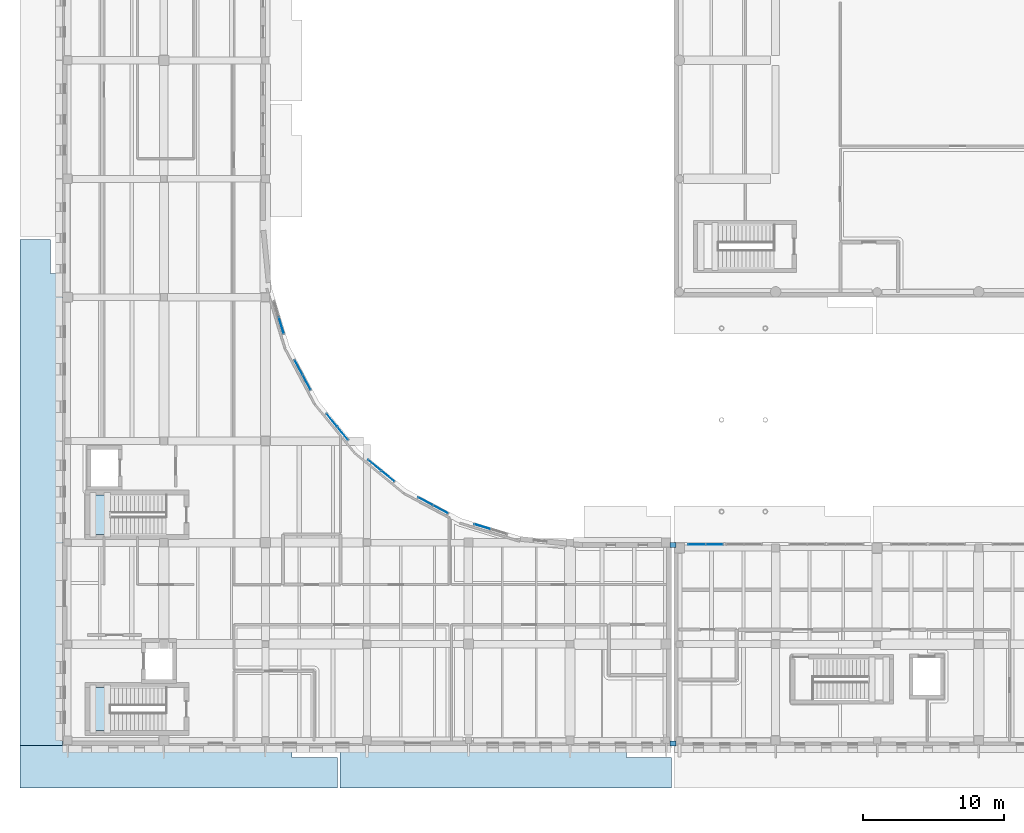
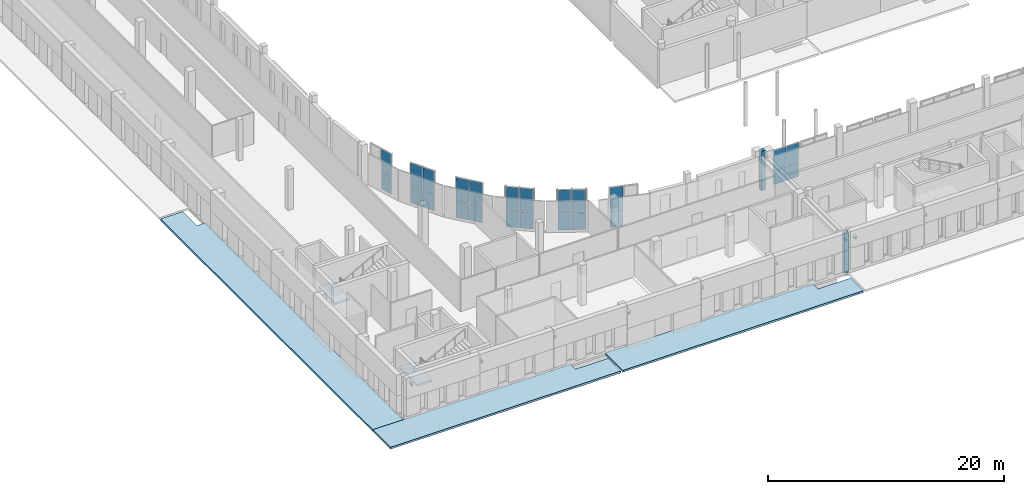
# One storey, part 37 of 77: 26 plates, 5 slabs, 9 elements without a shape of their own.
"""IFC4 building model written with IfcOpenShell, lengths in metres."""

import ifcopenshell
import ifcopenshell.guid

model = None  # the IFC model being written
_history = None  # IfcOwnerHistory: only IFC2X3 demands one
_inside = {}  # id of a spatial element -> (the spatial element, [elements in it])
_under = {}  # id of a project, library or spatial element -> (it, [spatial elements below it])
_declared = {}  # id of a project -> (the project, [libraries it declares])
_typed = {}  # id of a type object -> (the type object, [elements of that type])
_made_of = {}  # id of a material, layer set ... -> (it, [elements and type objects made of it])


def new_model(schema):
    """Start an empty IFC model of exactly this schema.

    Asked for "IFC4X3", IfcOpenShell would pick the latest addendum, in which some entities
    have other attributes; the version numbers below select the first issue.
    IFC2X3 requires an IfcOwnerHistory on every rooted entity: one is made here for all.
    """
    global model, _history
    if schema == "IFC4X3":
        model = ifcopenshell.file(schema_version=(4, 3, 0, 0))
    else:
        model = ifcopenshell.file(schema=schema)
    _inside.clear()
    _under.clear()
    _declared.clear()
    _typed.clear()
    _made_of.clear()
    _history = None
    if model.schema == "IFC2X3":
        org = make("IfcOrganization", Name="unknown")
        user = make(
            "IfcPersonAndOrganization",
            ThePerson=make("IfcPerson", FamilyName="unknown"),
            TheOrganization=org,
        )
        app = make(
            "IfcApplication",
            ApplicationDeveloper=org,
            Version="unknown",
            ApplicationFullName="unknown",
            ApplicationIdentifier="unknown",
        )
        _history = make(
            "IfcOwnerHistory",
            OwningUser=user,
            OwningApplication=app,
            ChangeAction="ADDED",
            CreationDate=0,
        )
    return model


def make(cls, **values):
    """One entity of the class cls with the attributes given. An attribute that is None is left unset."""
    return model.create_entity(
        cls, **{name: value for name, value in values.items() if value is not None}
    )


def rooted(cls, **values):
    """An entity with a GlobalId (a new one), such as an element, a storey or a relation."""
    return make(cls, GlobalId=ifcopenshell.guid.new(), OwnerHistory=_history, **values)


def si_unit(unit_type, name, prefix=None):
    """IfcSIUnit, for example si_unit("LENGTHUNIT", "METRE", prefix="MILLI")."""
    return make("IfcSIUnit", UnitType=unit_type, Prefix=prefix, Name=name)


def assignment(units):
    """IfcUnitAssignment: the units of a project."""
    return None if units is None else make("IfcUnitAssignment", Units=units)


def point(xyz):
    """IfcCartesianPoint."""
    return None if xyz is None else make("IfcCartesianPoint", Coordinates=xyz)


def direction(xyz):
    """IfcDirection."""
    return None if xyz is None else make("IfcDirection", DirectionRatios=xyz)


def frame(location, z_axis=None, x_axis=None):
    """IfcAxis2Placement3D, a coordinate frame: its origin and axes. An axis left out is left unset."""
    return make(
        "IfcAxis2Placement3D",
        Location=point(location),
        Axis=direction(z_axis),
        RefDirection=direction(x_axis),
    )


def frame_2d(location, x_axis=None):
    """IfcAxis2Placement2D, a coordinate frame in the plane: its origin and x axis."""
    return make(
        "IfcAxis2Placement2D", Location=point(location), RefDirection=direction(x_axis)
    )


def origin():
    """The frame at (0, 0, 0) with its axes left unset."""
    return frame((0.0, 0.0, 0.0))


def origin_2d():
    """The frame at (0, 0) in the plane with its x axis left unset."""
    return frame_2d((0.0, 0.0))


def place(relative_to, where):
    """IfcLocalPlacement: puts the frame where relative to a parent placement (None: the world)."""
    return make(
        "IfcLocalPlacement", PlacementRelTo=relative_to, RelativePlacement=where
    )


def context(
    kind, dimensions, precision=None, world=None, true_north=None, identifier=None
):
    """IfcGeometricRepresentationContext, for example the 3D "Model" context."""
    return make(
        "IfcGeometricRepresentationContext",
        ContextIdentifier=identifier,
        ContextType=kind,
        CoordinateSpaceDimension=dimensions,
        Precision=precision,
        WorldCoordinateSystem=world,
        TrueNorth=true_north,
    )


def subcontext(parent, identifier, kind, view, scale=None):
    """IfcGeometricRepresentationSubContext, for example "Body" below "Model"."""
    return make(
        "IfcGeometricRepresentationSubContext",
        ContextIdentifier=identifier,
        ContextType=kind,
        ParentContext=parent,
        TargetScale=scale,
        TargetView=view,
    )


def project(units=None, contexts=None):
    """IfcProject with its units and contexts."""
    return rooted(
        "IfcProject",
        Name="project",
        RepresentationContexts=contexts,
        UnitsInContext=assignment(units),
    )


def spatial(cls, under=None, at=None, **own):
    """A site, building, storey or space (cls), placed at a placement, below another one or the project."""
    s = rooted(cls, ObjectPlacement=at, **own)
    if under is not None:
        _under.setdefault(under.id(), (under, []))[1].append(s)
    return s


def polyline(points):
    """IfcPolyline through the points."""
    return make("IfcPolyline", Points=[point(p) for p in points])


def profile(cls, at=None, kind="AREA", **sizes):
    """A parametric profile (cls). Its sizes go by their IFC names, for example OverallWidth=200.0."""
    return make(cls, ProfileType=kind, Position=at, **sizes)


def rectangle(**sizes):
    """IfcRectangleProfileDef."""
    return profile("IfcRectangleProfileDef", **sizes)


def outline(outer, holes=None, kind="AREA"):
    """IfcArbitraryClosedProfileDef: a profile drawn as a closed curve; with holes, ...WithVoids."""
    if holes is None:
        return make("IfcArbitraryClosedProfileDef", ProfileType=kind, OuterCurve=outer)
    return make(
        "IfcArbitraryProfileDefWithVoids",
        ProfileType=kind,
        OuterCurve=outer,
        InnerCurves=holes,
    )


def extrude(swept, where, along, depth):
    """IfcExtrudedAreaSolid: the profile swept, set in the frame where, extruded along a direction by depth."""
    return make(
        "IfcExtrudedAreaSolid",
        SweptArea=swept,
        Position=where,
        ExtrudedDirection=direction(along),
        Depth=depth,
    )


def shape(context_of_items, identifier, shape_type, items):
    """IfcShapeRepresentation: the items that make up one representation, for example the "Body"."""
    return make(
        "IfcShapeRepresentation",
        ContextOfItems=context_of_items,
        RepresentationIdentifier=identifier,
        RepresentationType=shape_type,
        Items=items,
    )


def material(Name=None, Category=None):
    """IfcMaterial."""
    return make("IfcMaterial", Name=Name, Category=Category)


def layer(
    of_material, thickness, ventilated=None, Name=None, Category=None, Priority=None
):
    """IfcMaterialLayer: one layer of a wall or slab, of a material (None: an air gap)."""
    return make(
        "IfcMaterialLayer",
        Material=of_material,
        LayerThickness=thickness,
        IsVentilated=ventilated,
        Name=Name,
        Category=Category,
        Priority=Priority,
    )


def layer_set(layers, Name=None):
    """IfcMaterialLayerSet."""
    return make("IfcMaterialLayerSet", MaterialLayers=layers, LayerSetName=Name)


def made_of(thing, what):
    """Note that an element or type object is made of a material, layer set ...; save() writes the relation."""
    if what is not None:
        _made_of.setdefault(what.id(), (what, []))[1].append(thing)
    return thing


def type_object(cls, material=None, **own):
    """A type object (cls), such as IfcWallType, which elements share."""
    return made_of(rooted(cls, **own), material)


def element(
    cls,
    number,
    at=None,
    inside=None,
    cuts=None,
    type_object=None,
    material=None,
    context=None,
    identifier="Body",
    shape_type=None,
    held_by="IfcProductDefinitionShape",
    body=None,
    shapes=None,
    **own,
):
    """One element of the class cls, such as IfcWall. Its Tag is "e" and its number.

    at: its placement. inside: the storey or other place that contains it. cuts: it is an
    opening in that element (IfcRelVoidsElement). A single representation is given by context,
    identifier, shape_type and body (its items); several are given by shapes. held_by: the class
    of the entity that holds the representations. save() writes the other relations.
    """
    e = rooted(cls, Tag="e%d" % number, ObjectPlacement=at, **own)
    if body is not None:
        shapes = [shape(context, identifier, shape_type, body)]
    if shapes is not None:
        e.Representation = make(held_by, Representations=shapes)
    if inside is not None:
        _inside.setdefault(inside.id(), (inside, []))[1].append(e)
    if cuts is not None:
        rooted(
            "IfcRelVoidsElement", RelatingBuildingElement=cuts, RelatedOpeningElement=e
        )
    if type_object is not None:
        _typed.setdefault(type_object.id(), (type_object, []))[1].append(e)
    return made_of(e, material)


def aggregate(whole, parts):
    """IfcRelAggregates: a whole, such as a stair, and the parts it consists of."""
    return rooted("IfcRelAggregates", RelatingObject=whole, RelatedObjects=parts)


def save(model, path):
    """Write the relations noted so far, then the file.

    IfcRelAggregates (storeys below a building ...), IfcRelContainedInSpatialStructure (elements
    in a storey), IfcRelDefinesByType, IfcRelAssociatesMaterial and IfcRelDeclares: one each for
    every whole, place, type object, material and project.
    """
    for whole, parts in _under.values():
        aggregate(whole, parts)
    for where, things in _inside.values():
        rooted(
            "IfcRelContainedInSpatialStructure",
            RelatedElements=things,
            RelatingStructure=where,
        )
    for kind, things in _typed.values():
        rooted("IfcRelDefinesByType", RelatedObjects=things, RelatingType=kind)
    for what, things in _made_of.values():
        rooted("IfcRelAssociatesMaterial", RelatedObjects=things, RelatingMaterial=what)
    for by, libraries in _declared.values():
        rooted("IfcRelDeclares", RelatingContext=by, RelatedDefinitions=libraries)
    model.write(path)


model = new_model("IFC4")

# Units and contexts
model_context = context("Model", 3, precision=1e-05, world=origin(), true_north=direction((0.0, 1.0)))
body_context = subcontext(model_context, "Body", "Model", "MODEL_VIEW")
ifc_project = project(units=[si_unit("LENGTHUNIT", "METRE"), si_unit("AREAUNIT", "SQUARE_METRE"), si_unit("VOLUMEUNIT", "CUBIC_METRE"), si_unit("PLANEANGLEUNIT", "RADIAN"), si_unit("MASSUNIT", "GRAM", prefix="KILO")], contexts=[model_context])

# Site, building, storey
site_placement = place(None, origin())
site = spatial("IfcSite", under=ifc_project, at=site_placement, CompositionType="ELEMENT")
building_placement = place(site_placement, origin())
building = spatial("IfcBuilding", under=site, at=building_placement, Name="Vardoun Plaza Health Centre", CompositionType="ELEMENT")
storey_placement = place(building_placement, origin())
storey = spatial("IfcBuildingStorey", under=building, at=storey_placement, Name="L00", CompositionType="ELEMENT", Elevation=0.0)

# Curtain wall, plates
ifc_material_1 = material(Name="Aluminium Alloy EN AW-6063-T6 and Low-E Glass", Category="aluminium")
ifc_layer_1 = layer(ifc_material_1, 0.159912109375)
ifc_layer_set_1 = layer_set([ifc_layer_1], Name="Aluminium Alloy EN AW-6063-T6 and Low-E Glass")
curtain_wall_type_1 = type_object("IfcCurtainWallType", Name="CW-02", PredefinedType="USERDEFINED", material=ifc_layer_set_1)
curtain_wall_1_placement = place(storey_placement, origin())
curtain_wall_1 = element("IfcCurtainWall", 1, at=curtain_wall_1_placement, inside=storey, type_object=curtain_wall_type_1, Name="Curtain Wall CW-V2-033", ObjectType="COURTYARD_CURTAIN_WALL", PredefinedType="USERDEFINED")
ifc_material_2 = material(Name="Solar-Control Double Low-E Glazing", Category="glass")
ifc_layer_2 = layer(ifc_material_2, 0.028076171875)
ifc_layer_set_2 = layer_set([ifc_layer_2], Name="Solar-Control Double Low-E Glazing")
plate_type_1 = type_object("IfcPlateType", Name="CW-P1", PredefinedType="CURTAIN_PANEL", material=ifc_layer_set_2)
plate_1_placement = place(storey_placement, frame((20.0341796875, 34.28369140625, 0.06005859375), z_axis=(0.0, 0.0, 1.0), x_axis=(0.290300428595, -0.956935557474, 0.0)))
plate_1 = element("IfcPlate", 2, at=plate_1_placement, type_object=plate_type_1, Name="CW-V2-033 panel 2.1", PredefinedType="CURTAIN_PANEL", context=body_context, shape_type="SweptSolid", body=[
    extrude(rectangle(XDim=1.155517578125, YDim=0.028076171875, at=origin_2d()), origin(), (0.0, 0.0, 1.0), 1.682373046875),
])
plate_2_placement = place(storey_placement, frame((20.0341796875, 34.28369140625, 1.80224609375), z_axis=(0.0, 0.0, 1.0), x_axis=(0.290300428595, -0.956935557474, 0.0)))
plate_2 = element("IfcPlate", 3, at=plate_2_placement, type_object=plate_type_1, Name="CW-V2-033 panel 2.2", PredefinedType="CURTAIN_PANEL", context=body_context, shape_type="SweptSolid", body=[
    extrude(rectangle(XDim=1.155517578125, YDim=0.028076171875, at=origin_2d()), origin(), (0.0, 0.0, 1.0), 2.357666015625),
])
aggregate(curtain_wall_1, [plate_1, plate_2])

curtain_wall_2_placement = place(storey_placement, origin())
curtain_wall_2 = element("IfcCurtainWall", 4, at=curtain_wall_2_placement, inside=storey, type_object=curtain_wall_type_1, Name="Curtain Wall CW-V2-034", ObjectType="COURTYARD_CURTAIN_WALL", PredefinedType="USERDEFINED")
plate_3_placement = place(storey_placement, frame((21.260009765625, 31.323974609375, 0.06005859375), z_axis=(0.0, 0.0, 1.0), x_axis=(0.471394500535, -0.881922459667, 0.0)))
plate_3 = element("IfcPlate", 5, at=plate_3_placement, type_object=plate_type_1, Name="CW-V2-034 panel 1.1", PredefinedType="CURTAIN_PANEL", context=body_context, shape_type="SweptSolid", body=[
    extrude(rectangle(XDim=1.1552734375, YDim=0.028076171875, at=origin_2d()), origin(), (0.0, 0.0, 1.0), 1.682373046875),
])
plate_4_placement = place(storey_placement, frame((21.260009765625, 31.323974609375, 1.80224609375), z_axis=(0.0, 0.0, 1.0), x_axis=(0.471394500535, -0.881922459667, 0.0)))
plate_4 = element("IfcPlate", 6, at=plate_4_placement, type_object=plate_type_1, Name="CW-V2-034 panel 1.2", PredefinedType="CURTAIN_PANEL", context=body_context, shape_type="SweptSolid", body=[
    extrude(rectangle(XDim=1.1552734375, YDim=0.028076171875, at=origin_2d()), origin(), (0.0, 0.0, 1.0), 2.357666015625),
])
plate_5_placement = place(storey_placement, frame((21.8330078125, 30.252197265625, 0.06005859375), z_axis=(0.0, 0.0, 1.0), x_axis=(0.471394500535, -0.881922459667, 0.0)))
plate_5 = element("IfcPlate", 7, at=plate_5_placement, type_object=plate_type_1, Name="CW-V2-034 panel 2.1", PredefinedType="CURTAIN_PANEL", context=body_context, shape_type="SweptSolid", body=[
    extrude(rectangle(XDim=1.1552734375, YDim=0.028076171875, at=origin_2d()), origin(), (0.0, 0.0, 1.0), 1.682373046875),
])
plate_6_placement = place(storey_placement, frame((21.8330078125, 30.252197265625, 1.80224609375), z_axis=(0.0, 0.0, 1.0), x_axis=(0.471394500535, -0.881922459667, 0.0)))
plate_6 = element("IfcPlate", 8, at=plate_6_placement, type_object=plate_type_1, Name="CW-V2-034 panel 2.2", PredefinedType="CURTAIN_PANEL", context=body_context, shape_type="SweptSolid", body=[
    extrude(rectangle(XDim=1.1552734375, YDim=0.028076171875, at=origin_2d()), origin(), (0.0, 0.0, 1.0), 2.357666015625),
])
aggregate(curtain_wall_2, [plate_3, plate_4, plate_5, plate_6])

curtain_wall_3_placement = place(storey_placement, origin())
curtain_wall_3 = element("IfcCurtainWall", 9, at=curtain_wall_3_placement, inside=storey, type_object=curtain_wall_type_1, Name="Curtain Wall CW-V2-035", ObjectType="COURTYARD_CURTAIN_WALL", PredefinedType="USERDEFINED")
plate_7_placement = place(storey_placement, frame((23.61279296875, 27.588623046875, 0.06005859375), z_axis=(0.0, 0.0, 1.0), x_axis=(0.634384900919, -0.773017333238, 0.0)))
plate_7 = element("IfcPlate", 10, at=plate_7_placement, type_object=plate_type_1, Name="CW-V2-035 panel 1.1", PredefinedType="CURTAIN_PANEL", context=body_context, shape_type="SweptSolid", body=[
    extrude(rectangle(XDim=1.1552734375, YDim=0.028076171875, at=origin_2d()), origin(), (0.0, 0.0, 1.0), 1.682373046875),
])
plate_8_placement = place(storey_placement, frame((23.61279296875, 27.588623046875, 1.80224609375), z_axis=(0.0, 0.0, 1.0), x_axis=(0.634384900919, -0.773017333238, 0.0)))
plate_8 = element("IfcPlate", 11, at=plate_8_placement, type_object=plate_type_1, Name="CW-V2-035 panel 1.2", PredefinedType="CURTAIN_PANEL", context=body_context, shape_type="SweptSolid", body=[
    extrude(rectangle(XDim=1.1552734375, YDim=0.028076171875, at=origin_2d()), origin(), (0.0, 0.0, 1.0), 2.357666015625),
])
plate_9_placement = place(storey_placement, frame((24.3837890625, 26.64892578125, 0.06005859375), z_axis=(0.0, 0.0, 1.0), x_axis=(0.634384900919, -0.773017333238, 0.0)))
plate_9 = element("IfcPlate", 12, at=plate_9_placement, type_object=plate_type_1, Name="CW-V2-035 panel 2.1", PredefinedType="CURTAIN_PANEL", context=body_context, shape_type="SweptSolid", body=[
    extrude(rectangle(XDim=1.1552734375, YDim=0.028076171875, at=origin_2d()), origin(), (0.0, 0.0, 1.0), 1.682373046875),
])
plate_10_placement = place(storey_placement, frame((24.3837890625, 26.64892578125, 1.80224609375), z_axis=(0.0, 0.0, 1.0), x_axis=(0.634384900919, -0.773017333238, 0.0)))
plate_10 = element("IfcPlate", 13, at=plate_10_placement, type_object=plate_type_1, Name="CW-V2-035 panel 2.2", PredefinedType="CURTAIN_PANEL", context=body_context, shape_type="SweptSolid", body=[
    extrude(rectangle(XDim=1.1552734375, YDim=0.028076171875, at=origin_2d()), origin(), (0.0, 0.0, 1.0), 2.357666015625),
])
aggregate(curtain_wall_3, [plate_7, plate_8, plate_9, plate_10])

curtain_wall_4_placement = place(storey_placement, origin())
curtain_wall_4 = element("IfcCurtainWall", 14, at=curtain_wall_4_placement, inside=storey, type_object=curtain_wall_type_1, Name="Curtain Wall CW-V2-036", ObjectType="COURTYARD_CURTAIN_WALL", PredefinedType="USERDEFINED")
plate_11_placement = place(storey_placement, frame((26.64892578125, 24.3837890625, 0.06005859375), z_axis=(0.0, 0.0, 1.0), x_axis=(0.773017333238, -0.634384900919, 0.0)))
plate_11 = element("IfcPlate", 15, at=plate_11_placement, type_object=plate_type_1, Name="CW-V2-036 panel 1.1", PredefinedType="CURTAIN_PANEL", context=body_context, shape_type="SweptSolid", body=[
    extrude(rectangle(XDim=1.1552734375, YDim=0.028076171875, at=origin_2d()), origin(), (0.0, 0.0, 1.0), 1.682373046875),
])
plate_12_placement = place(storey_placement, frame((26.64892578125, 24.3837890625, 1.80224609375), z_axis=(0.0, 0.0, 1.0), x_axis=(0.773017333238, -0.634384900919, 0.0)))
plate_12 = element("IfcPlate", 16, at=plate_12_placement, type_object=plate_type_1, Name="CW-V2-036 panel 1.2", PredefinedType="CURTAIN_PANEL", context=body_context, shape_type="SweptSolid", body=[
    extrude(rectangle(XDim=1.1552734375, YDim=0.028076171875, at=origin_2d()), origin(), (0.0, 0.0, 1.0), 2.357666015625),
])
plate_13_placement = place(storey_placement, frame((27.588623046875, 23.61279296875, 0.06005859375), z_axis=(0.0, 0.0, 1.0), x_axis=(0.773017333238, -0.634384900919, 0.0)))
plate_13 = element("IfcPlate", 17, at=plate_13_placement, type_object=plate_type_1, Name="CW-V2-036 panel 2.1", PredefinedType="CURTAIN_PANEL", context=body_context, shape_type="SweptSolid", body=[
    extrude(rectangle(XDim=1.1552734375, YDim=0.028076171875, at=origin_2d()), origin(), (0.0, 0.0, 1.0), 1.682373046875),
])
plate_14_placement = place(storey_placement, frame((27.588623046875, 23.61279296875, 1.80224609375), z_axis=(0.0, 0.0, 1.0), x_axis=(0.773017333238, -0.634384900919, 0.0)))
plate_14 = element("IfcPlate", 18, at=plate_14_placement, type_object=plate_type_1, Name="CW-V2-036 panel 2.2", PredefinedType="CURTAIN_PANEL", context=body_context, shape_type="SweptSolid", body=[
    extrude(rectangle(XDim=1.1552734375, YDim=0.028076171875, at=origin_2d()), origin(), (0.0, 0.0, 1.0), 2.357666015625),
])
aggregate(curtain_wall_4, [plate_11, plate_12, plate_13, plate_14])

curtain_wall_5_placement = place(storey_placement, origin())
curtain_wall_5 = element("IfcCurtainWall", 19, at=curtain_wall_5_placement, inside=storey, type_object=curtain_wall_type_1, Name="Curtain Wall CW-V2-037", ObjectType="COURTYARD_CURTAIN_WALL", PredefinedType="USERDEFINED")
plate_15_placement = place(storey_placement, frame((30.252197265625, 21.8330078125, 0.06005859375), z_axis=(0.0, 0.0, 1.0), x_axis=(0.881922459667, -0.471394500535, 0.0)))
plate_15 = element("IfcPlate", 20, at=plate_15_placement, type_object=plate_type_1, Name="CW-V2-037 panel 1.1", PredefinedType="CURTAIN_PANEL", context=body_context, shape_type="SweptSolid", body=[
    extrude(rectangle(XDim=1.1552734375, YDim=0.028076171875, at=origin_2d()), origin(), (0.0, 0.0, 1.0), 1.682373046875),
])
plate_16_placement = place(storey_placement, frame((30.252197265625, 21.8330078125, 1.80224609375), z_axis=(0.0, 0.0, 1.0), x_axis=(0.881922459667, -0.471394500535, 0.0)))
plate_16 = element("IfcPlate", 21, at=plate_16_placement, type_object=plate_type_1, Name="CW-V2-037 panel 1.2", PredefinedType="CURTAIN_PANEL", context=body_context, shape_type="SweptSolid", body=[
    extrude(rectangle(XDim=1.1552734375, YDim=0.028076171875, at=origin_2d()), origin(), (0.0, 0.0, 1.0), 2.357666015625),
])
plate_17_placement = place(storey_placement, frame((31.323974609375, 21.260009765625, 0.06005859375), z_axis=(0.0, 0.0, 1.0), x_axis=(0.881922459667, -0.471394500535, 0.0)))
plate_17 = element("IfcPlate", 22, at=plate_17_placement, type_object=plate_type_1, Name="CW-V2-037 panel 2.1", PredefinedType="CURTAIN_PANEL", context=body_context, shape_type="SweptSolid", body=[
    extrude(rectangle(XDim=1.1552734375, YDim=0.028076171875, at=origin_2d()), origin(), (0.0, 0.0, 1.0), 1.682373046875),
])
plate_18_placement = place(storey_placement, frame((31.323974609375, 21.260009765625, 1.80224609375), z_axis=(0.0, 0.0, 1.0), x_axis=(0.881922459667, -0.471394500535, 0.0)))
plate_18 = element("IfcPlate", 23, at=plate_18_placement, type_object=plate_type_1, Name="CW-V2-037 panel 2.2", PredefinedType="CURTAIN_PANEL", context=body_context, shape_type="SweptSolid", body=[
    extrude(rectangle(XDim=1.1552734375, YDim=0.028076171875, at=origin_2d()), origin(), (0.0, 0.0, 1.0), 2.357666015625),
])
aggregate(curtain_wall_5, [plate_15, plate_16, plate_17, plate_18])

curtain_wall_6_placement = place(storey_placement, origin())
curtain_wall_6 = element("IfcCurtainWall", 24, at=curtain_wall_6_placement, inside=storey, type_object=curtain_wall_type_1, Name="Curtain Wall CW-V2-038", ObjectType="COURTYARD_CURTAIN_WALL", PredefinedType="USERDEFINED")
plate_19_placement = place(storey_placement, frame((34.28369140625, 20.0341796875, 0.06005859375), z_axis=(0.0, 0.0, 1.0), x_axis=(0.956935557474, -0.290300428595, 0.0)))
plate_19 = element("IfcPlate", 25, at=plate_19_placement, type_object=plate_type_1, Name="CW-V2-038 panel 1.1", PredefinedType="CURTAIN_PANEL", context=body_context, shape_type="SweptSolid", body=[
    extrude(rectangle(XDim=1.155517578125, YDim=0.028076171875, at=origin_2d()), origin(), (0.0, 0.0, 1.0), 1.682373046875),
])
plate_20_placement = place(storey_placement, frame((34.28369140625, 20.0341796875, 1.80224609375), z_axis=(0.0, 0.0, 1.0), x_axis=(0.956935557474, -0.290300428595, 0.0)))
plate_20 = element("IfcPlate", 26, at=plate_20_placement, type_object=plate_type_1, Name="CW-V2-038 panel 1.2", PredefinedType="CURTAIN_PANEL", context=body_context, shape_type="SweptSolid", body=[
    extrude(rectangle(XDim=1.155517578125, YDim=0.028076171875, at=origin_2d()), origin(), (0.0, 0.0, 1.0), 2.357666015625),
])
aggregate(curtain_wall_6, [plate_19, plate_20])

ifc_material_3 = material(Name="Aluminium Alloy EN AW-6063-T6 and Low-E Glass", Category="aluminium")
ifc_layer_3 = layer(ifc_material_3, 0.14990234375)
ifc_layer_set_3 = layer_set([ifc_layer_3], Name="Aluminium Alloy EN AW-6063-T6 and Low-E Glass")
curtain_wall_type_2 = type_object("IfcCurtainWallType", Name="CW-03", PredefinedType="NOTDEFINED", material=ifc_layer_set_3)
curtain_wall_7_placement = place(storey_placement, origin())
curtain_wall_7 = element("IfcCurtainWall", 27, at=curtain_wall_7_placement, inside=storey, type_object=curtain_wall_type_2, Name="Curtain Wall CW-V4-101", PredefinedType="NOTDEFINED")
plate_21_placement = place(storey_placement, frame((49.4951171875, 18.780029296875, 0.06005859375), z_axis=(0.0, 0.0, 1.0), x_axis=(1.0, 0.0, 0.0)))
plate_21 = element("IfcPlate", 28, at=plate_21_placement, type_object=plate_type_1, Name="CW-V4-101 panel 1.1", PredefinedType="CURTAIN_PANEL", context=body_context, shape_type="SweptSolid", body=[
    extrude(rectangle(XDim=1.18994140625, YDim=0.028076171875, at=origin_2d()), origin(), (0.0, 0.0, 1.0), 1.417724609375),
])
plate_22_placement = place(storey_placement, frame((49.4951171875, 18.780029296875, 1.537841796875), z_axis=(0.0, 0.0, 1.0), x_axis=(1.0, 0.0, 0.0)))
plate_22 = element("IfcPlate", 29, at=plate_22_placement, type_object=plate_type_1, Name="CW-V4-101 panel 1.2", PredefinedType="CURTAIN_PANEL", context=body_context, shape_type="SweptSolid", body=[
    extrude(rectangle(XDim=1.18994140625, YDim=0.028076171875, at=origin_2d()), origin(), (0.0, 0.0, 1.0), 1.9921875),
])
plate_23_placement = place(storey_placement, frame((50.7451171875, 18.780029296875, 0.06005859375), z_axis=(0.0, 0.0, 1.0), x_axis=(1.0, 0.0, 0.0)))
plate_23 = element("IfcPlate", 30, at=plate_23_placement, type_object=plate_type_1, Name="CW-V4-101 panel 2.1", PredefinedType="CURTAIN_PANEL", context=body_context, shape_type="SweptSolid", body=[
    extrude(rectangle(XDim=1.18994140625, YDim=0.028076171875, at=origin_2d()), origin(), (0.0, 0.0, 1.0), 1.417724609375),
])
plate_24_placement = place(storey_placement, frame((50.7451171875, 18.780029296875, 1.537841796875), z_axis=(0.0, 0.0, 1.0), x_axis=(1.0, 0.0, 0.0)))
plate_24 = element("IfcPlate", 31, at=plate_24_placement, type_object=plate_type_1, Name="CW-V4-101 panel 2.2", PredefinedType="CURTAIN_PANEL", context=body_context, shape_type="SweptSolid", body=[
    extrude(rectangle(XDim=1.18994140625, YDim=0.028076171875, at=origin_2d()), origin(), (0.0, 0.0, 1.0), 1.9921875),
])
aggregate(curtain_wall_7, [plate_21, plate_22, plate_23, plate_24])

# Stair, slab
ifc_material_4 = material(Name="Concrete C35/45", Category="concrete")
stair_type = type_object("IfcStairType", Name="ST-01", PredefinedType="HALF_TURN_STAIR", material=ifc_material_4)
stair_1_placement = place(storey_placement, origin())
stair_1 = element("IfcStair", 32, at=stair_1_placement, inside=storey, type_object=stair_type, Name="Core C1 L00 Exit Stair ST-C1-L00", PredefinedType="HALF_TURN_STAIR")
ifc_material_5 = material(Name="Concrete C35/45", Category="concrete")
ifc_layer_4 = layer(ifc_material_5, 0.199951171875)
ifc_layer_set_4 = layer_set([ifc_layer_4], Name="Concrete C35/45")
slab_type_1 = type_object("IfcSlabType", Name="SL-LD", PredefinedType="LANDING", material=ifc_layer_set_4)
slab_1_placement = place(storey_placement, frame((0.0, 0.0, 2.050048828125)))
slab_1 = element("IfcSlab", 33, at=slab_1_placement, type_object=slab_type_1, Name="ST-C1-L00 landing 1", PredefinedType="LANDING", context=body_context, shape_type="SweptSolid", body=[
    extrude(outline(polyline([(6.47509765625, 5.574951171875), (7.9306640625, 5.574951171875), (7.9306640625, 8.625), (6.47509765625, 8.625), (6.47509765625, 5.574951171875)])), origin(), (0.0, 0.0, 1.0), 0.199951171875),
])
aggregate(stair_1, [slab_1])

stair_2_placement = place(storey_placement, origin())
stair_2 = element("IfcStair", 34, at=stair_2_placement, inside=storey, type_object=stair_type, Name="Core C2 L00 Exit Stair ST-C2-L00", PredefinedType="HALF_TURN_STAIR")
slab_2_placement = place(storey_placement, frame((0.0, 0.0, 2.050048828125)))
slab_2 = element("IfcSlab", 35, at=slab_2_placement, type_object=slab_type_1, Name="ST-C2-L00 landing 1", PredefinedType="LANDING", context=body_context, shape_type="SweptSolid", body=[
    extrude(outline(polyline([(6.47509765625, 19.47509765625), (7.9306640625, 19.47509765625), (7.9306640625, 22.27490234375), (6.47509765625, 22.27490234375), (6.47509765625, 19.47509765625)])), origin(), (0.0, 0.0, 1.0), 0.199951171875),
])
aggregate(stair_2, [slab_2])

# Plates
ifc_material_6 = material(Name="Aluminium Alloy EN AW-6063-T6", Category="aluminium")
ifc_layer_5 = layer(ifc_material_6, 0.050048828125)
ifc_layer_set_5 = layer_set([ifc_layer_5], Name="Aluminium Alloy EN AW-6063-T6")
plate_type_2 = type_object("IfcPlateType", Name="SJ-01", PredefinedType="SHEET", material=ifc_layer_set_5)
for number, where, z_axis, x_axis, name in (
    (36, (47.7900390625, 4.659912109375, 0.0), (0.0, 0.0, 1.0), (1.0, 0.0, 0.0), "Seismic Joint Facade Cover SJ-V24-S-L00"),
    (37, (47.7900390625, 18.739990234375, 0.0), (0.0, 0.0, 1.0), (1.0, 0.0, 0.0), "Seismic Joint Facade Cover SJ-V24-N-L00"),
):
    element("IfcPlate", number, at=place(storey_placement, frame(where, z_axis=z_axis, x_axis=x_axis)), inside=storey, type_object=plate_type_2, Name=name, PredefinedType="SHEET", context=body_context, shape_type="SweptSolid", body=[
        extrude(rectangle(XDim=0.419921875, YDim=0.360107421875, at=origin_2d()), origin(), (0.0, 0.0, 1.0), 4.10009765625),
    ])

# Slabs
ifc_material_7 = material(Name="Pale Limestone Concrete C35/45", Category="masonry")
ifc_layer_6 = layer(ifc_material_7, 0.169921875)
ifc_layer_set_6 = layer_set([ifc_layer_6], Name="Pale Limestone Concrete C35/45")
slab_type_2 = type_object("IfcSlabType", Name="SL-T2", PredefinedType="USERDEFINED", material=ifc_layer_set_6)
slab_3_placement = place(storey_placement, frame((0.0, 0.0, -0.199951171875)))
element("IfcSlab", 38, at=slab_3_placement, inside=storey, type_object=slab_type_2, Name="Ground Plaza Paving Apron PZ-S1", ObjectType="PAVING", PredefinedType="USERDEFINED", context=body_context, shape_type="SweptSolid", body=[
    extrude(outline(polyline([(1.5, 1.5), (24.0, 1.5), (24.0, 3.659912109375), (20.800048828125, 3.659912109375), (20.800048828125, 4.5), (1.5, 4.5), (1.5, 1.5)])), origin(), (0.0, 0.0, 1.0), 0.199951171875),
])
slab_4_placement = place(storey_placement, frame((0.0, 0.0, -0.199951171875)))
element("IfcSlab", 39, at=slab_4_placement, inside=storey, type_object=slab_type_2, Name="Ground Plaza Paving Apron PZ-S2", ObjectType="PAVING", PredefinedType="USERDEFINED", context=body_context, shape_type="SweptSolid", body=[
    extrude(outline(polyline([(24.199951171875, 1.5), (47.699951171875, 1.5), (47.699951171875, 3.659912109375), (44.5, 3.659912109375), (44.5, 4.5), (24.199951171875, 4.5), (24.199951171875, 1.5)])), origin(), (0.0, 0.0, 1.0), 0.199951171875),
])
slab_5_placement = place(storey_placement, frame((0.0, 0.0, -0.199951171875)))
element("IfcSlab", 40, at=slab_5_placement, inside=storey, type_object=slab_type_2, Name="Ground Plaza Paving Apron PZ-W1", ObjectType="PAVING", PredefinedType="USERDEFINED", context=body_context, shape_type="SweptSolid", body=[
    extrude(outline(polyline([(1.5, 4.5), (4.5, 4.5), (4.5, 38.0), (3.659912109375, 38.0), (3.659912109375, 40.39990234375), (1.5, 40.39990234375), (1.5, 4.5)])), origin(), (0.0, 0.0, 1.0), 0.199951171875),
])

save(model, "model.ifc")
